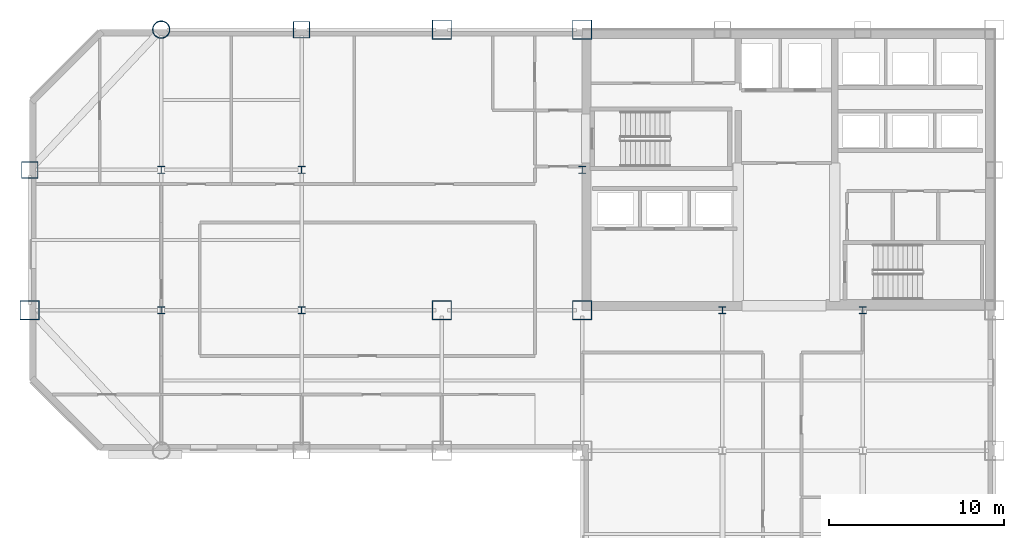
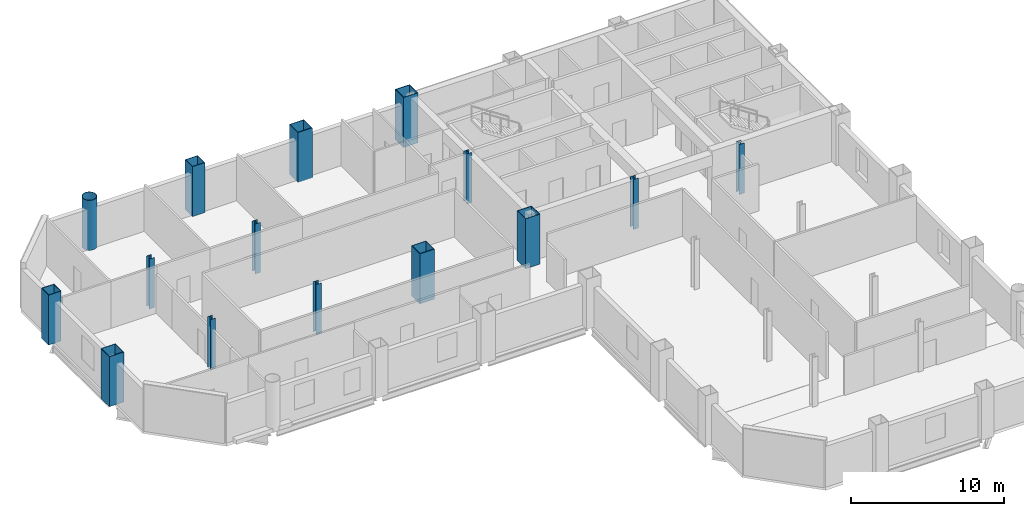
# One storey, part 3 of 10: 15 columns.
"""IFC4 building model written with IfcOpenShell, lengths in metres."""

from ifc_helpers import new_model, si_unit, direction, frame, origin, origin_2d, place, context, subcontext, project, spatial, hollow_rectangle, hollow_circle, i_section, extrude, material, material_profile, profile_set, type_object, element, save


model = new_model("IFC4")

# Units and contexts
model_context = context("Model", 3, precision=1e-05, world=origin(), true_north=direction((0.0, 1.0)))
body_context = subcontext(model_context, "Body", "Model", "MODEL_VIEW")
ifc_project = project(units=[si_unit("LENGTHUNIT", "METRE"), si_unit("AREAUNIT", "SQUARE_METRE"), si_unit("VOLUMEUNIT", "CUBIC_METRE"), si_unit("PLANEANGLEUNIT", "RADIAN"), si_unit("MASSUNIT", "GRAM", prefix="KILO")], contexts=[model_context])

# Site, building, storey
site_placement = place(None, origin())
site = spatial("IfcSite", under=ifc_project, at=site_placement, CompositionType="ELEMENT")
building_placement = place(site_placement, origin())
building = spatial("IfcBuilding", under=site, at=building_placement, Name="Qianrong Seaharbour Tower", CompositionType="ELEMENT")
storey_placement = place(building_placement, frame((0.0, 0.0, 175.0)))
storey = spatial("IfcBuildingStorey", under=building, at=storey_placement, Name="L42", CompositionType="ELEMENT", Elevation=175.0)

# Columns
ifc_material = material(Name="Structural steel SN490B", Category="steel")
ifc_material_profile_1 = material_profile(ifc_material, hollow_rectangle(XDim=1.10009765625, YDim=1.10009765625, WallThickness=0.0400390625, at=origin_2d()), Name="BOX1100x1100x40")
ifc_profile_set_1 = profile_set([ifc_material_profile_1], Name="Structural steel SN490B")
column_type_1 = type_object("IfcColumnType", Name="COL-CFT-1100", PredefinedType="COLUMN", material=ifc_profile_set_1)
for number, where, z_axis, x_axis, name in (
    (1, (9.0, 36.0, 0.0), (0.0, 0.0, 1.0), (1.0, 0.0, 0.0), "L42 Column MC-3 at G2/GF"),
    (2, (32.5, 36.0, 0.0), (0.0, 0.0, 1.0), (1.0, 0.0, 0.0), "L42 Column MC-3 at G5/GF"),
    (3, (32.5, 52.0, 0.0), (0.0, 0.0, 1.0), (1.0, 0.0, 0.0), "L42 Column MC-3 at G5/GH"),
    (4, (40.5, 36.0, 0.0), (0.0, 0.0, 1.0), (1.0, 0.0, 0.0), "L42 Column MC-3 at G6/GF"),
    (5, (40.5, 52.0, 0.0), (0.0, 0.0, 1.0), (1.0, 0.0, 0.0), "L42 Column MC-3 at G6/GH"),
):
    element("IfcColumn", number, at=place(storey_placement, frame(where, z_axis=z_axis, x_axis=x_axis)), inside=storey, type_object=column_type_1, Name=name, PredefinedType="COLUMN", context=body_context, shape_type="SweptSolid", body=[
        extrude(hollow_rectangle(XDim=1.10009765625, YDim=1.10009765625, WallThickness=0.0400390625, at=origin_2d()), origin(), (0.0, 0.0, 1.0), 4.0),
    ])
ifc_material_profile_2 = material_profile(ifc_material, hollow_circle(Radius=0.5, WallThickness=0.035888671875, at=origin_2d()), Name="CHS1000x36")
ifc_profile_set_2 = profile_set([ifc_material_profile_2], Name="Structural steel SN490B")
column_type_2 = type_object("IfcColumnType", Name="COL-CHS-1000", PredefinedType="COLUMN", material=ifc_profile_set_2)
column_placement = place(storey_placement, frame((16.5, 52.0, 0.0), z_axis=(0.0, 0.0, 1.0), x_axis=(1.0, 0.0, 0.0)))
element("IfcColumn", 6, at=column_placement, inside=storey, type_object=column_type_2, Name="L42 Column CC-2 at G3/GH", PredefinedType="COLUMN", context=body_context, shape_type="SweptSolid", body=[
    extrude(hollow_circle(Radius=0.5, WallThickness=0.035888671875, at=origin_2d()), origin(), (0.0, 0.0, 1.0), 4.0),
])
ifc_material_profile_3 = material_profile(ifc_material, i_section(OverallWidth=0.39990234375, OverallDepth=0.39990234375, WebThickness=0.012939453125, FlangeThickness=0.02099609375, FilletRadius=0.02197265625, at=origin_2d()), Name="H400x400x13x21")
ifc_profile_set_3 = profile_set([ifc_material_profile_3], Name="Structural steel SN490B")
column_type_3 = type_object("IfcColumnType", Name="COL-INT-H400", PredefinedType="COLUMN", material=ifc_profile_set_3)
for number, where, z_axis, x_axis, name in (
    (7, (16.5, 36.0, 0.0), (0.0, 0.0, 1.0), (1.0, 0.0, 0.0), "L42 Column IC-3 at G3/GF"),
    (8, (16.5, 44.0, 0.0), (0.0, 0.0, 1.0), (1.0, 0.0, 0.0), "L42 Column IC-3 at G3/GG"),
    (9, (24.5, 36.0, 0.0), (0.0, 0.0, 1.0), (1.0, 0.0, 0.0), "L42 Column IC-3 at G4/GF"),
    (10, (24.5, 44.0, 0.0), (0.0, 0.0, 1.0), (1.0, 0.0, 0.0), "L42 Column IC-3 at G4/GG"),
    (11, (40.5, 44.0, 0.0), (0.0, 0.0, 1.0), (1.0, 0.0, 0.0), "L42 Column IC-3 at G6/GG"),
    (12, (48.5, 36.0, 0.0), (0.0, 0.0, 1.0), (1.0, 0.0, 0.0), "L42 Column IC-3 at G7/GF"),
    (13, (56.5, 36.0, 0.0), (0.0, 0.0, 1.0), (1.0, 0.0, 0.0), "L42 Column IC-3 at G8/GF"),
):
    element("IfcColumn", number, at=place(storey_placement, frame(where, z_axis=z_axis, x_axis=x_axis)), inside=storey, type_object=column_type_3, Name=name, PredefinedType="COLUMN", context=body_context, shape_type="SweptSolid", body=[
        extrude(i_section(OverallWidth=0.39990234375, OverallDepth=0.39990234375, WebThickness=0.012939453125, FlangeThickness=0.02099609375, FilletRadius=0.02197265625, at=origin_2d()), origin(), (0.0, 0.0, 1.0), 4.0),
    ])
ifc_material_profile_4 = material_profile(ifc_material, hollow_rectangle(XDim=0.949951171875, YDim=0.949951171875, WallThickness=0.035888671875, at=origin_2d()), Name="BOX950x950x36")
ifc_profile_set_4 = profile_set([ifc_material_profile_4], Name="Structural steel SN490B")
column_type_4 = type_object("IfcColumnType", Name="COL-PER-950", PredefinedType="COLUMN", material=ifc_profile_set_4)
for number, where, z_axis, x_axis, name in (
    (14, (9.0, 44.0, 0.0), (0.0, 0.0, 1.0), (1.0, 0.0, 0.0), "L42 Column PC-2 at G2/GG"),
    (15, (24.5, 52.0, 0.0), (0.0, 0.0, 1.0), (1.0, 0.0, 0.0), "L42 Column PC-2 at G4/GH"),
):
    element("IfcColumn", number, at=place(storey_placement, frame(where, z_axis=z_axis, x_axis=x_axis)), inside=storey, type_object=column_type_4, Name=name, PredefinedType="COLUMN", context=body_context, shape_type="SweptSolid", body=[
        extrude(hollow_rectangle(XDim=0.949951171875, YDim=0.949951171875, WallThickness=0.035888671875, at=origin_2d()), origin(), (0.0, 0.0, 1.0), 4.0),
    ])

save(model, "model.ifc")
